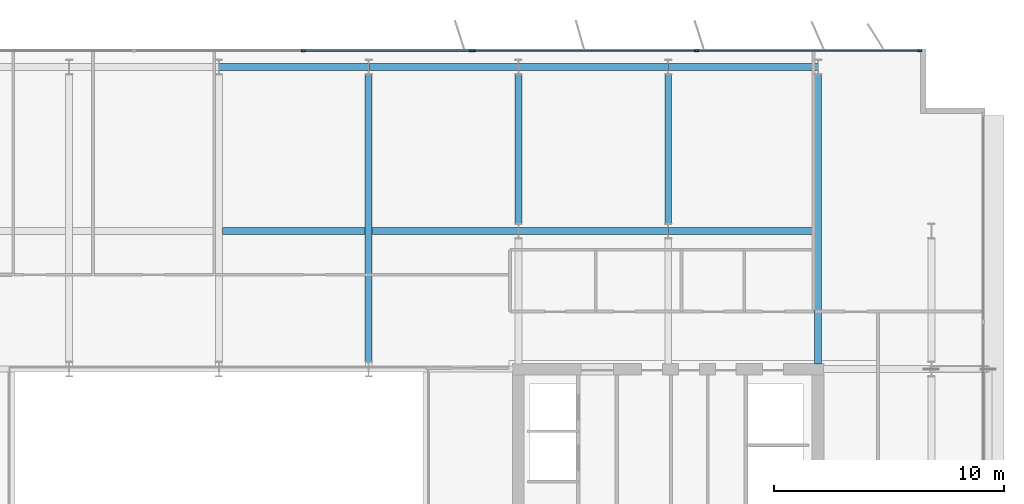
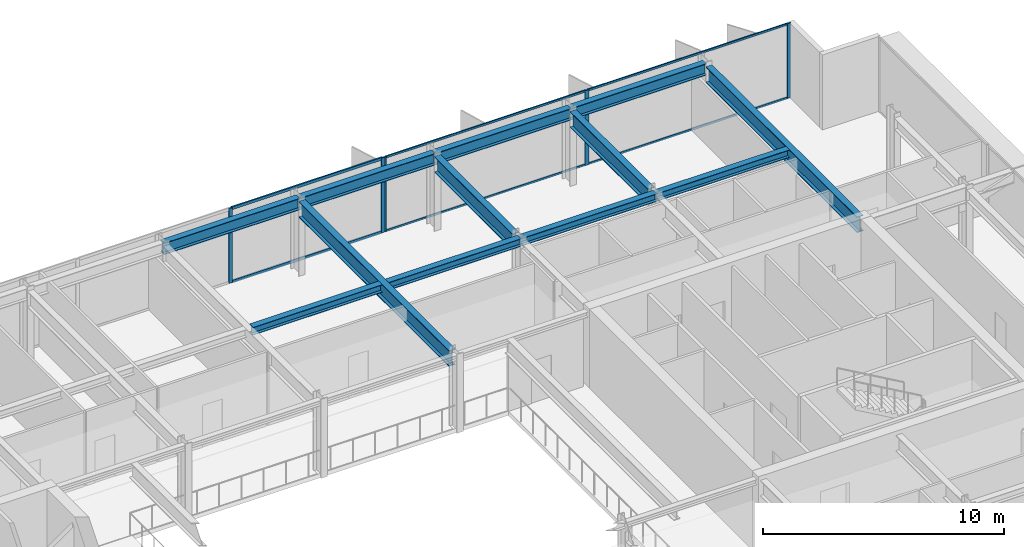
# One storey, part 9 of 21: 12 beams, 11 members, 2 elements without a shape of their own.
"""IFC4 building model written with IfcOpenShell, lengths in metres."""

from ifc_helpers import new_model, si_unit, direction, frame, origin, origin_2d, place, context, subcontext, project, spatial, rectangle, i_section, extrude, material, layer, layer_set, material_profile, profile_set, type_object, element, aggregate, save


model = new_model("IFC4")

# Units and contexts
model_context = context("Model", 3, precision=1e-05, world=origin(), true_north=direction((0.0, 1.0)))
body_context = subcontext(model_context, "Body", "Model", "MODEL_VIEW")
ifc_project = project(units=[si_unit("LENGTHUNIT", "METRE"), si_unit("AREAUNIT", "SQUARE_METRE"), si_unit("VOLUMEUNIT", "CUBIC_METRE"), si_unit("PLANEANGLEUNIT", "RADIAN"), si_unit("MASSUNIT", "GRAM", prefix="KILO")], contexts=[model_context])

# Site, building, storey
site_placement = place(None, origin())
site = spatial("IfcSite", under=ifc_project, at=site_placement, CompositionType="ELEMENT")
building_placement = place(site_placement, origin())
building = spatial("IfcBuilding", under=site, at=building_placement, Name="Putna Gate Headquarters", CompositionType="ELEMENT")
storey_placement = place(building_placement, frame((0.0, 0.0, 278.39990234375)))
storey = spatial("IfcBuildingStorey", under=building, at=storey_placement, Name="L70", CompositionType="ELEMENT", Elevation=278.39990234375)

# Beams
ifc_material_1 = material(Name="Steel S355J2", Category="steel")
ifc_material_profile_1 = material_profile(ifc_material_1, i_section(OverallWidth=0.300048828125, OverallDepth=0.800048828125, WebThickness=0.017578125, FlangeThickness=0.032958984375, at=origin_2d()), Name="Steel S355J2")
ifc_profile_set_1 = profile_set([ifc_material_profile_1], Name="Steel S355J2")
beam_type_1 = type_object("IfcBeamType", Name="BM-GIRD-P-HEB800", PredefinedType="USERDEFINED", material=ifc_profile_set_1)
beam_1_placement = place(storey_placement, frame((45.5, 33.322021484375, 3.38818359375), z_axis=(0.0, 1.0, 0.0), x_axis=(-1.0, 0.0, 0.0)))
element("IfcBeam", 1, at=beam_1_placement, inside=storey, type_object=beam_type_1, Name="L70 North Primary Girder X45", ObjectType="GIRDER", PredefinedType="USERDEFINED", context=body_context, shape_type="SweptSolid", body=[
    extrude(i_section(OverallWidth=0.300048828125, OverallDepth=0.800048828125, WebThickness=0.017578125, FlangeThickness=0.032958984375, at=origin_2d()), origin(), (0.0, 0.0, 1.0), 12.47607421875),
])
for number, where, z_axis, x_axis, name in (
    (2, (52.0, 39.322021484375, 3.38818359375), (0.0, 1.0, 0.0), (-1.0, 0.0, 0.0), "L70 North Primary Girder X52-2"),
    (3, (58.5, 39.322021484375, 3.38818359375), (0.0, 1.0, 0.0), (-1.0, 0.0, 0.0), "L70 North Primary Girder X58-2"),
):
    element("IfcBeam", number, at=place(storey_placement, frame(where, z_axis=z_axis, x_axis=x_axis)), inside=storey, type_object=beam_type_1, Name=name, ObjectType="GIRDER", PredefinedType="USERDEFINED", context=body_context, shape_type="SweptSolid", body=[
        extrude(i_section(OverallWidth=0.300048828125, OverallDepth=0.800048828125, WebThickness=0.017578125, FlangeThickness=0.032958984375, at=origin_2d()), origin(), (0.0, 0.0, 1.0), 6.47607421875),
    ])
beam_2_placement = place(storey_placement, frame((65.0, 33.235107421875, 3.38818359375), z_axis=(0.0, 1.0, 0.0), x_axis=(-1.0, 0.0, 0.0)))
element("IfcBeam", 4, at=beam_2_placement, inside=storey, type_object=beam_type_1, Name="L70 North Primary Girder X65", ObjectType="GIRDER", PredefinedType="USERDEFINED", context=body_context, shape_type="SweptSolid", body=[
    extrude(i_section(OverallWidth=0.300048828125, OverallDepth=0.800048828125, WebThickness=0.017578125, FlangeThickness=0.032958984375, at=origin_2d()), origin(), (0.0, 0.0, 1.0), 12.56298828125),
])
ifc_material_profile_2 = material_profile(ifc_material_1, i_section(OverallWidth=0.300048828125, OverallDepth=0.389892578125, WebThickness=0.010986328125, FlangeThickness=0.01904296875, at=origin_2d()), Name="Steel S355J2")
ifc_profile_set_2 = profile_set([ifc_material_profile_2], Name="Steel S355J2")
beam_type_2 = type_object("IfcBeamType", Name="BM-SEC-Z5-HEA400", PredefinedType="BEAM", material=ifc_profile_set_2)
beam_3_placement = place(storey_placement, frame((39.154052734375, 39.0, 3.593017578125), z_axis=(1.0, 0.0, 0.0), x_axis=(0.0, 1.0, 0.0)))
element("IfcBeam", 5, at=beam_3_placement, inside=storey, type_object=beam_type_2, Name="L70 North Secondary Beam 5", PredefinedType="BEAM", context=body_context, shape_type="SweptSolid", body=[
    extrude(i_section(OverallWidth=0.300048828125, OverallDepth=0.389892578125, WebThickness=0.010986328125, FlangeThickness=0.01904296875, at=origin_2d()), origin(), (0.0, 0.0, 1.0), 6.19189453125),
])
beam_4_placement = place(storey_placement, frame((45.654052734375, 39.0, 3.593017578125), z_axis=(1.0, 0.0, 0.0), x_axis=(0.0, 1.0, 0.0)))
element("IfcBeam", 6, at=beam_4_placement, inside=storey, type_object=beam_type_2, Name="L70 North Secondary Beam 6", PredefinedType="BEAM", context=body_context, shape_type="SweptSolid", body=[
    extrude(i_section(OverallWidth=0.300048828125, OverallDepth=0.389892578125, WebThickness=0.010986328125, FlangeThickness=0.01904296875, at=origin_2d()), origin(), (0.0, 0.0, 1.0), 6.33984375),
])
beam_5_placement = place(storey_placement, frame((52.006103515625, 39.0, 3.593017578125), z_axis=(1.0, 0.0, 0.0), x_axis=(0.0, 1.0, 0.0)))
element("IfcBeam", 7, at=beam_5_placement, inside=storey, type_object=beam_type_2, Name="L70 North Secondary Beam 7", PredefinedType="BEAM", context=body_context, shape_type="SweptSolid", body=[
    extrude(i_section(OverallWidth=0.300048828125, OverallDepth=0.389892578125, WebThickness=0.010986328125, FlangeThickness=0.01904296875, at=origin_2d()), origin(), (0.0, 0.0, 1.0), 6.48779296875),
])
beam_6_placement = place(storey_placement, frame((58.506103515625, 39.0, 3.593017578125), z_axis=(1.0, 0.0, 0.0), x_axis=(0.0, 1.0, 0.0)))
element("IfcBeam", 8, at=beam_6_placement, inside=storey, type_object=beam_type_2, Name="L70 North Secondary Beam 8", PredefinedType="BEAM", context=body_context, shape_type="SweptSolid", body=[
    extrude(i_section(OverallWidth=0.300048828125, OverallDepth=0.389892578125, WebThickness=0.010986328125, FlangeThickness=0.01904296875, at=origin_2d()), origin(), (0.0, 0.0, 1.0), 6.33984375),
])
ifc_material_profile_3 = material_profile(ifc_material_1, i_section(OverallWidth=0.300048828125, OverallDepth=0.590087890625, WebThickness=0.012939453125, FlangeThickness=0.02490234375, at=origin_2d()), Name="Steel S355J2")
ifc_profile_set_3 = profile_set([ifc_material_profile_3], Name="Steel S355J2")
beam_type_3 = type_object("IfcBeamType", Name="BM-SPAN-Z4-HEA600", PredefinedType="SPANDREL", material=ifc_profile_set_3)
for number, where, z_axis, x_axis, name in (
    (9, (39.006103515625, 46.1201171875, 3.4931640625), (1.0, 0.0, 0.0), (0.0, 1.0, 0.0), "L70 N Perimeter Spandrel 5"),
    (10, (45.506103515625, 46.1201171875, 3.4931640625), (1.0, 0.0, 0.0), (0.0, 1.0, 0.0), "L70 N Perimeter Spandrel 6"),
    (11, (52.006103515625, 46.1201171875, 3.4931640625), (1.0, 0.0, 0.0), (0.0, 1.0, 0.0), "L70 N Perimeter Spandrel 7"),
    (12, (58.506103515625, 46.1201171875, 3.4931640625), (1.0, 0.0, 0.0), (0.0, 1.0, 0.0), "L70 N Perimeter Spandrel 8"),
):
    element("IfcBeam", number, at=place(storey_placement, frame(where, z_axis=z_axis, x_axis=x_axis)), inside=storey, type_object=beam_type_3, Name=name, PredefinedType="SPANDREL", context=body_context, shape_type="SweptSolid", body=[
        extrude(i_section(OverallWidth=0.300048828125, OverallDepth=0.590087890625, WebThickness=0.012939453125, FlangeThickness=0.02490234375, at=origin_2d()), origin(), (0.0, 0.0, 1.0), 6.48779296875),
    ])

# Curtain wall, members
ifc_material_2 = material(Name="Anodised bronze aluminium curtain wall", Category="aluminium")
ifc_layer_1 = layer(ifc_material_2, 0.179931640625)
ifc_layer_set_1 = layer_set([ifc_layer_1], Name="Anodised bronze aluminium curtain wall")
curtain_wall_type_1 = type_object("IfcCurtainWallType", Name="CW-SYS-Z5", PredefinedType="USERDEFINED", material=ifc_layer_set_1)
curtain_wall_1_placement = place(storey_placement, origin())
curtain_wall_1 = element("IfcCurtainWall", 13, at=curtain_wall_1_placement, inside=storey, type_object=curtain_wall_type_1, Name="L70 North East Curtain Wall", ObjectType="STICK CURTAIN WALL", PredefinedType="USERDEFINED")
ifc_material_3 = material(Name="Anodised bronze aluminium EN AW-6060", Category="aluminium")
ifc_material_profile_4 = material_profile(ifc_material_3, rectangle(XDim=0.070068359375, YDim=0.179931640625, at=origin_2d()), Name="Anodised bronze aluminium EN AW-6060")
ifc_profile_set_4 = profile_set([ifc_material_profile_4], Name="Anodised bronze aluminium EN AW-6060")
member_type_1 = type_object("IfcMemberType", Name="MULL-CWM-5", PredefinedType="MULLION", material=ifc_profile_set_4)
member_1_placement = place(storey_placement, frame((50.034912109375, 46.820068359375, 0.0), z_axis=(0.0, 0.0, 1.0), x_axis=(0.0, 1.0, 0.0)))
member_1 = element("IfcMember", 14, at=member_1_placement, type_object=member_type_1, Name="CWS-5 mullion 1", PredefinedType="MULLION", context=body_context, shape_type="SweptSolid", body=[
    extrude(rectangle(XDim=0.070068359375, YDim=0.179931640625, at=origin_2d()), origin(), (0.0, 0.0, 1.0), 3.7880859375),
])
member_2_placement = place(storey_placement, frame((59.7255859375, 46.820068359375, 0.0), z_axis=(0.0, 0.0, 1.0), x_axis=(0.0, 1.0, 0.0)))
member_2 = element("IfcMember", 15, at=member_2_placement, type_object=member_type_1, Name="CWS-5 mullion 2", PredefinedType="MULLION", context=body_context, shape_type="SweptSolid", body=[
    extrude(rectangle(XDim=0.070068359375, YDim=0.179931640625, at=origin_2d()), origin(), (0.0, 0.0, 1.0), 3.7880859375),
])
member_3_placement = place(storey_placement, frame((69.416015625, 46.820068359375, 0.0), z_axis=(0.0, 0.0, 1.0), x_axis=(0.0, 1.0, 0.0)))
member_3 = element("IfcMember", 16, at=member_3_placement, type_object=member_type_1, Name="CWS-5 mullion 3", PredefinedType="MULLION", context=body_context, shape_type="SweptSolid", body=[
    extrude(rectangle(XDim=0.070068359375, YDim=0.179931640625, at=origin_2d()), origin(), (0.0, 0.0, 1.0), 3.7880859375),
])

ifc_layer_2 = layer(ifc_material_2, 0.179931640625)
ifc_layer_set_2 = layer_set([ifc_layer_2], Name="Anodised bronze aluminium curtain wall")
curtain_wall_type_2 = type_object("IfcCurtainWallType", Name="CW-SYS-ATR", PredefinedType="USERDEFINED", material=ifc_layer_set_2)
curtain_wall_2_placement = place(storey_placement, origin())
curtain_wall_2 = element("IfcCurtainWall", 17, at=curtain_wall_2_placement, inside=storey, type_object=curtain_wall_type_2, Name="L70 North Atrium Clear Glazing", ObjectType="ATRIUM GLAZING", PredefinedType="USERDEFINED")
ifc_material_profile_5 = material_profile(ifc_material_3, rectangle(XDim=0.070068359375, YDim=0.179931640625, at=origin_2d()), Name="Anodised bronze aluminium EN AW-6060")
ifc_profile_set_5 = profile_set([ifc_material_profile_5], Name="Anodised bronze aluminium EN AW-6060")
member_type_2 = type_object("IfcMemberType", Name="MULL-CWM-AT", PredefinedType="MULLION", material=ifc_profile_set_5)
member_4_placement = place(storey_placement, frame((42.666748046875, 46.820068359375, 0.0), z_axis=(0.0, 0.0, 1.0), x_axis=(0.0, 1.0, 0.0)))
member_4 = element("IfcMember", 18, at=member_4_placement, type_object=member_type_2, Name="CWS-AT mullion 3", PredefinedType="MULLION", context=body_context, shape_type="SweptSolid", body=[
    extrude(rectangle(XDim=0.070068359375, YDim=0.179931640625, at=origin_2d()), origin(), (0.0, 0.0, 1.0), 3.7880859375),
])
member_5_placement = place(storey_placement, frame((49.965087890625, 46.820068359375, 0.0), z_axis=(0.0, 0.0, 1.0), x_axis=(0.0, 1.0, 0.0)))
member_5 = element("IfcMember", 19, at=member_5_placement, type_object=member_type_2, Name="CWS-AT mullion 4", PredefinedType="MULLION", context=body_context, shape_type="SweptSolid", body=[
    extrude(rectangle(XDim=0.070068359375, YDim=0.179931640625, at=origin_2d()), origin(), (0.0, 0.0, 1.0), 3.7880859375),
])

# Member
ifc_material_profile_6 = material_profile(ifc_material_3, rectangle(XDim=0.06005859375, YDim=0.10009765625, at=origin_2d()), Name="Anodised bronze aluminium EN AW-6060")
ifc_profile_set_6 = profile_set([ifc_material_profile_6], Name="Anodised bronze aluminium EN AW-6060")
member_type_3 = type_object("IfcMemberType", Name="TRAN-CWT-5", PredefinedType="USERDEFINED", material=ifc_profile_set_6)
member_6_placement = place(storey_placement, frame((50.070068359375, 46.820068359375, 0.030029296875), z_axis=(1.0, 0.0, 0.0), x_axis=(0.0, 1.0, 0.0)))
member_6 = element("IfcMember", 20, at=member_6_placement, type_object=member_type_3, Name="CWS-5 transom 1.1", ObjectType="TRANSOM", PredefinedType="USERDEFINED", context=body_context, shape_type="SweptSolid", body=[
    extrude(rectangle(XDim=0.06005859375, YDim=0.10009765625, at=origin_2d()), origin(), (0.0, 0.0, 1.0), 9.620361328125),
])

member_7_placement = place(storey_placement, frame((50.070068359375, 46.820068359375, 3.758056640625), z_axis=(1.0, 0.0, 0.0), x_axis=(0.0, 1.0, 0.0)))
member_7 = element("IfcMember", 21, at=member_7_placement, type_object=member_type_3, Name="CWS-5 transom 1.2", ObjectType="TRANSOM", PredefinedType="USERDEFINED", context=body_context, shape_type="SweptSolid", body=[
    extrude(rectangle(XDim=0.06005859375, YDim=0.10009765625, at=origin_2d()), origin(), (0.0, 0.0, 1.0), 9.620361328125),
])

member_8_placement = place(storey_placement, frame((59.760498046875, 46.820068359375, 0.030029296875), z_axis=(1.0, 0.0, 0.0), x_axis=(0.0, 1.0, 0.0)))
member_8 = element("IfcMember", 22, at=member_8_placement, type_object=member_type_3, Name="CWS-5 transom 2.1", ObjectType="TRANSOM", PredefinedType="USERDEFINED", context=body_context, shape_type="SweptSolid", body=[
    extrude(rectangle(XDim=0.06005859375, YDim=0.10009765625, at=origin_2d()), origin(), (0.0, 0.0, 1.0), 9.62060546875),
])

member_9_placement = place(storey_placement, frame((59.760498046875, 46.820068359375, 3.758056640625), z_axis=(1.0, 0.0, 0.0), x_axis=(0.0, 1.0, 0.0)))
member_9 = element("IfcMember", 23, at=member_9_placement, type_object=member_type_3, Name="CWS-5 transom 2.2", ObjectType="TRANSOM", PredefinedType="USERDEFINED", context=body_context, shape_type="SweptSolid", body=[
    extrude(rectangle(XDim=0.06005859375, YDim=0.10009765625, at=origin_2d()), origin(), (0.0, 0.0, 1.0), 9.62060546875),
])

aggregate(curtain_wall_1, [member_1, member_2, member_3, member_6, member_7, member_8, member_9])

ifc_material_profile_7 = material_profile(ifc_material_3, rectangle(XDim=0.070068359375, YDim=0.139892578125, at=origin_2d()), Name="Anodised bronze aluminium EN AW-6060")
ifc_profile_set_7 = profile_set([ifc_material_profile_7], Name="Anodised bronze aluminium EN AW-6060")
member_type_4 = type_object("IfcMemberType", Name="TRAN-CWT-AT", PredefinedType="USERDEFINED", material=ifc_profile_set_7)
member_10_placement = place(storey_placement, frame((42.70166015625, 46.820068359375, 0.03515625), z_axis=(1.0, 0.0, 0.0), x_axis=(0.0, 1.0, 0.0)))
member_10 = element("IfcMember", 24, at=member_10_placement, type_object=member_type_4, Name="CWS-AT transom 3.1", ObjectType="TRANSOM", PredefinedType="USERDEFINED", context=body_context, shape_type="SweptSolid", body=[
    extrude(rectangle(XDim=0.070068359375, YDim=0.139892578125, at=origin_2d()), origin(), (0.0, 0.0, 1.0), 7.228271484375),
])

member_11_placement = place(storey_placement, frame((42.70166015625, 46.820068359375, 3.753173828125), z_axis=(1.0, 0.0, 0.0), x_axis=(0.0, 1.0, 0.0)))
member_11 = element("IfcMember", 25, at=member_11_placement, type_object=member_type_4, Name="CWS-AT transom 3.2", ObjectType="TRANSOM", PredefinedType="USERDEFINED", context=body_context, shape_type="SweptSolid", body=[
    extrude(rectangle(XDim=0.070068359375, YDim=0.139892578125, at=origin_2d()), origin(), (0.0, 0.0, 1.0), 7.228271484375),
])

aggregate(curtain_wall_2, [member_4, member_5, member_10, member_11])

save(model, "model.ifc")
